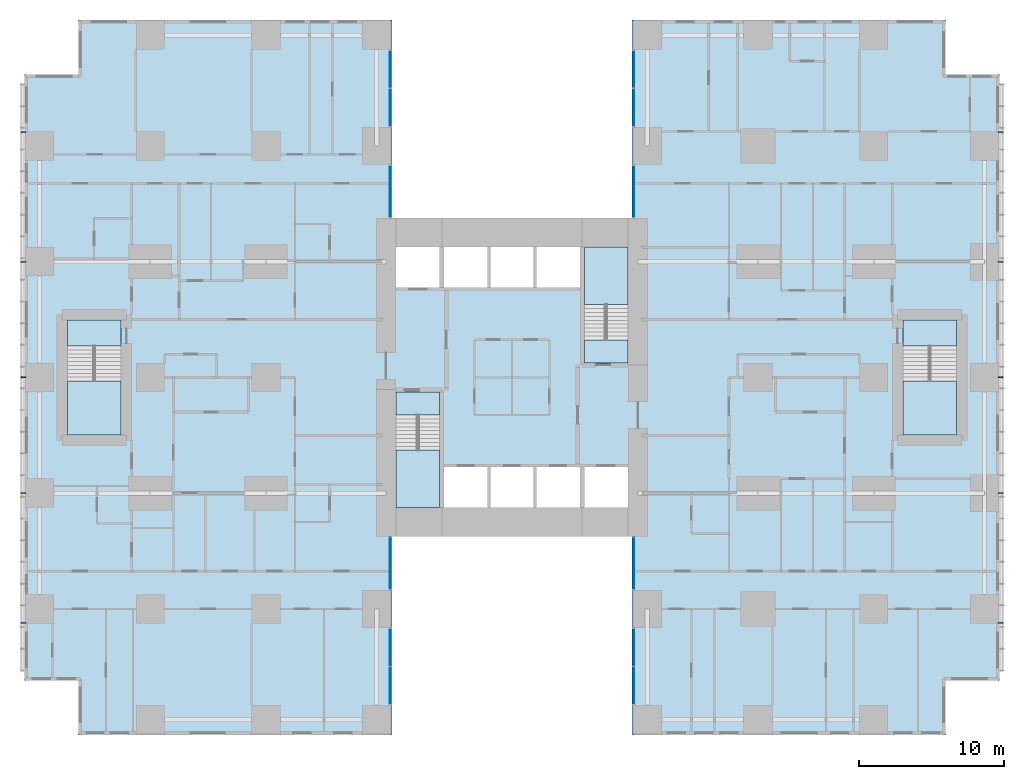
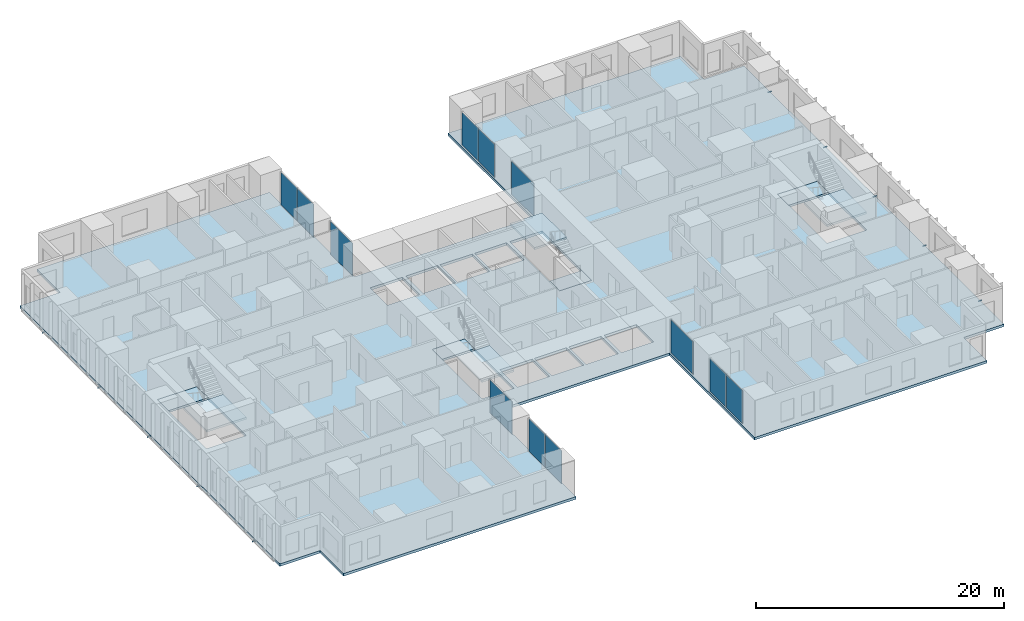
# One storey, part 7 of 20: 12 plates, 10 members, 9 slabs, 12 elements without a shape of their own.
"""IFC4 building model written with IfcOpenShell, lengths in metres."""

from ifc_helpers import new_model, si_unit, direction, frame, origin, origin_2d, place, context, subcontext, project, spatial, polyline, rectangle, hollow_rectangle, outline, extrude, material, layer, layer_set, material_profile, profile_set, type_object, element, aggregate, save


model = new_model("IFC4")

# Units and contexts
model_context = context("Model", 3, precision=1e-05, world=origin(), true_north=direction((0.0, 1.0)))
body_context = subcontext(model_context, "Body", "Model", "MODEL_VIEW")
ifc_project = project(units=[si_unit("LENGTHUNIT", "METRE"), si_unit("AREAUNIT", "SQUARE_METRE"), si_unit("VOLUMEUNIT", "CUBIC_METRE"), si_unit("PLANEANGLEUNIT", "RADIAN"), si_unit("MASSUNIT", "GRAM", prefix="KILO")], contexts=[model_context])

# Site, building, storey
site_placement = place(None, origin())
site = spatial("IfcSite", under=ifc_project, at=site_placement, CompositionType="ELEMENT")
building_placement = place(site_placement, origin())
building = spatial("IfcBuilding", under=site, at=building_placement, Name="Cleftline Residences", CompositionType="ELEMENT")
storey_placement = place(building_placement, frame((0.0, 0.0, 80.0)))
storey = spatial("IfcBuildingStorey", under=building, at=storey_placement, Name="L20", CompositionType="ELEMENT", Elevation=80.0)

# Members
ifc_material_1 = material(Name="Steel S355, hot-dip galvanised", Category="steel")
ifc_material_profile = material_profile(ifc_material_1, hollow_rectangle(XDim=0.10009765625, YDim=0.10009765625, WallThickness=0.008056640625, InnerFilletRadius=0.008056640625, OuterFilletRadius=0.011962890625, at=origin_2d()))
ifc_profile_set = profile_set([ifc_material_profile], Name="Steel S355, hot-dip galvanised")
member_type = type_object("IfcMemberType", Name="BAGUETTE BRACKET SHS 100X100X8", PredefinedType="USERDEFINED", material=ifc_profile_set)
for number, where, z_axis, x_axis, name in (
    (1, (66.60009765625, 7.050048828125, -0.14990234375), (1.0, 0.0, 0.0), (0.0, 1.0, 0.0), "Baguette bracket"),
    (2, (66.60009765625, 16.0, -0.14990234375), (1.0, 0.0, 0.0), (0.0, 1.0, 0.0), "Baguette bracket"),
    (3, (66.60009765625, 24.0, -0.14990234375), (1.0, 0.0, 0.0), (0.0, 1.0, 0.0), "Baguette bracket"),
    (4, (66.60009765625, 32.0, -0.14990234375), (1.0, 0.0, 0.0), (0.0, 1.0, 0.0), "Baguette bracket"),
    (5, (66.60009765625, 40.949951171875, -0.14990234375), (1.0, 0.0, 0.0), (0.0, 1.0, 0.0), "Baguette bracket"),
    (6, (-0.60009765625, 40.949951171875, -0.14990234375), (-1.0, 0.0, 0.0), (0.0, -1.0, 0.0), "Baguette bracket"),
    (7, (-0.60009765625, 32.0, -0.14990234375), (-1.0, 0.0, 0.0), (0.0, -1.0, 0.0), "Baguette bracket"),
    (8, (-0.60009765625, 24.0, -0.14990234375), (-1.0, 0.0, 0.0), (0.0, -1.0, 0.0), "Baguette bracket"),
    (9, (-0.60009765625, 16.0, -0.14990234375), (-1.0, 0.0, 0.0), (0.0, -1.0, 0.0), "Baguette bracket"),
    (10, (-0.60009765625, 7.050048828125, -0.14990234375), (-1.0, 0.0, 0.0), (0.0, -1.0, 0.0), "Baguette bracket"),
):
    element("IfcMember", number, at=place(storey_placement, frame(where, z_axis=z_axis, x_axis=x_axis)), inside=storey, type_object=member_type, Name=name, ObjectType="BAGUETTE BRACKET", PredefinedType="USERDEFINED", context=body_context, shape_type="SweptSolid", body=[
        extrude(hollow_rectangle(XDim=0.10009765625, YDim=0.10009765625, WallThickness=0.008056640625, InnerFilletRadius=0.008056640625, OuterFilletRadius=0.011962890625, at=origin_2d()), origin(), (0.0, 0.0, 1.0), 0.349853515625),
    ])

# Curtain wall, plates
ifc_material_2 = material(Name="Aluminium framed curtain wall", Category="aluminium")
ifc_layer_1 = layer(ifc_material_2, 0.199951171875)
ifc_layer_set_1 = layer_set([ifc_layer_1], Name="CW1 CLEFT GLAZING")
curtain_wall_type = type_object("IfcCurtainWallType", Name="CW1 CLEFT GLAZING", PredefinedType="NOTDEFINED", material=ifc_layer_set_1)
curtain_wall_1_placement = place(storey_placement, origin())
curtain_wall_1 = element("IfcCurtainWall", 11, at=curtain_wall_1_placement, inside=storey, type_object=curtain_wall_type, Name="Curtain wall CW1", PredefinedType="NOTDEFINED")
ifc_material_3 = material(Name="Laminated clear glass", Category="glass")
ifc_layer_2 = layer(ifc_material_3, 0.028076171875)
ifc_layer_set_2 = layer_set([ifc_layer_2], Name="CW1 GLASS PANEL")
plate_type = type_object("IfcPlateType", Name="CW1 GLASS PANEL", PredefinedType="CURTAIN_PANEL", material=ifc_layer_set_2)
plate_1_placement = place(storey_placement, frame((24.574951171875, 2.702392578125, 0.06005859375), z_axis=(0.0, 0.0, 1.0), x_axis=(0.0, 1.0, 0.0)))
plate_1 = element("IfcPlate", 12, at=plate_1_placement, type_object=plate_type, Name="CW1 panel 1.1", PredefinedType="CURTAIN_PANEL", context=body_context, shape_type="SweptSolid", body=[
    extrude(rectangle(XDim=2.5849609375, YDim=0.028076171875, at=origin_2d()), origin(), (0.0, 0.0, 1.0), 3.22998046875),
])
plate_2_placement = place(storey_placement, frame((24.574951171875, 5.347412109375, 0.06005859375), z_axis=(0.0, 0.0, 1.0), x_axis=(0.0, 1.0, 0.0)))
plate_2 = element("IfcPlate", 13, at=plate_2_placement, type_object=plate_type, Name="CW1 panel 2.1", PredefinedType="CURTAIN_PANEL", context=body_context, shape_type="SweptSolid", body=[
    extrude(rectangle(XDim=2.5849609375, YDim=0.028076171875, at=origin_2d()), origin(), (0.0, 0.0, 1.0), 3.22998046875),
])
aggregate(curtain_wall_1, [plate_1, plate_2])

# Curtain wall, plate
curtain_wall_2_placement = place(storey_placement, origin())
curtain_wall_2 = element("IfcCurtainWall", 14, at=curtain_wall_2_placement, inside=storey, type_object=curtain_wall_type, Name="Curtain wall CW1", PredefinedType="NOTDEFINED")
plate_3_placement = place(storey_placement, frame((24.574951171875, 11.14990234375, 0.06005859375), z_axis=(0.0, 0.0, 1.0), x_axis=(0.0, 1.0, 0.0)))
plate_3 = element("IfcPlate", 15, at=plate_3_placement, type_object=plate_type, Name="CW1 panel 1.1", PredefinedType="CURTAIN_PANEL", context=body_context, shape_type="SweptSolid", body=[
    extrude(rectangle(XDim=3.580078125, YDim=0.028076171875, at=origin_2d()), origin(), (0.0, 0.0, 1.0), 3.22998046875),
])
aggregate(curtain_wall_2, [plate_3])

curtain_wall_3_placement = place(storey_placement, origin())
curtain_wall_3 = element("IfcCurtainWall", 16, at=curtain_wall_3_placement, inside=storey, type_object=curtain_wall_type, Name="Curtain wall CW1", PredefinedType="NOTDEFINED")
plate_4_placement = place(storey_placement, frame((41.425048828125, 11.14990234375, 0.06005859375), z_axis=(0.0, 0.0, 1.0), x_axis=(0.0, -1.0, 0.0)))
plate_4 = element("IfcPlate", 17, at=plate_4_placement, type_object=plate_type, Name="CW1 panel 1.1", PredefinedType="CURTAIN_PANEL", context=body_context, shape_type="SweptSolid", body=[
    extrude(rectangle(XDim=3.580078125, YDim=0.028076171875, at=origin_2d()), origin(), (0.0, 0.0, 1.0), 3.22998046875),
])
aggregate(curtain_wall_3, [plate_4])

# Curtain wall, plates
curtain_wall_4_placement = place(storey_placement, origin())
curtain_wall_4 = element("IfcCurtainWall", 18, at=curtain_wall_4_placement, inside=storey, type_object=curtain_wall_type, Name="Curtain wall CW1", PredefinedType="NOTDEFINED")
plate_5_placement = place(storey_placement, frame((41.425048828125, 5.347412109375, 0.06005859375), z_axis=(0.0, 0.0, 1.0), x_axis=(0.0, -1.0, 0.0)))
plate_5 = element("IfcPlate", 19, at=plate_5_placement, type_object=plate_type, Name="CW1 panel 1.1", PredefinedType="CURTAIN_PANEL", context=body_context, shape_type="SweptSolid", body=[
    extrude(rectangle(XDim=2.5849609375, YDim=0.028076171875, at=origin_2d()), origin(), (0.0, 0.0, 1.0), 3.22998046875),
])
plate_6_placement = place(storey_placement, frame((41.425048828125, 2.702392578125, 0.06005859375), z_axis=(0.0, 0.0, 1.0), x_axis=(0.0, -1.0, 0.0)))
plate_6 = element("IfcPlate", 20, at=plate_6_placement, type_object=plate_type, Name="CW1 panel 2.1", PredefinedType="CURTAIN_PANEL", context=body_context, shape_type="SweptSolid", body=[
    extrude(rectangle(XDim=2.5849609375, YDim=0.028076171875, at=origin_2d()), origin(), (0.0, 0.0, 1.0), 3.22998046875),
])
aggregate(curtain_wall_4, [plate_5, plate_6])

curtain_wall_5_placement = place(storey_placement, origin())
curtain_wall_5 = element("IfcCurtainWall", 21, at=curtain_wall_5_placement, inside=storey, type_object=curtain_wall_type, Name="Curtain wall CW1", PredefinedType="NOTDEFINED")
plate_7_placement = place(storey_placement, frame((41.425048828125, 45.297607421875, 0.06005859375), z_axis=(0.0, 0.0, 1.0), x_axis=(0.0, -1.0, 0.0)))
plate_7 = element("IfcPlate", 22, at=plate_7_placement, type_object=plate_type, Name="CW1 panel 1.1", PredefinedType="CURTAIN_PANEL", context=body_context, shape_type="SweptSolid", body=[
    extrude(rectangle(XDim=2.5849609375, YDim=0.028076171875, at=origin_2d()), origin(), (0.0, 0.0, 1.0), 3.22998046875),
])
plate_8_placement = place(storey_placement, frame((41.425048828125, 42.652587890625, 0.06005859375), z_axis=(0.0, 0.0, 1.0), x_axis=(0.0, -1.0, 0.0)))
plate_8 = element("IfcPlate", 23, at=plate_8_placement, type_object=plate_type, Name="CW1 panel 2.1", PredefinedType="CURTAIN_PANEL", context=body_context, shape_type="SweptSolid", body=[
    extrude(rectangle(XDim=2.5849609375, YDim=0.028076171875, at=origin_2d()), origin(), (0.0, 0.0, 1.0), 3.22998046875),
])
aggregate(curtain_wall_5, [plate_7, plate_8])

# Curtain wall, plate
curtain_wall_6_placement = place(storey_placement, origin())
curtain_wall_6 = element("IfcCurtainWall", 24, at=curtain_wall_6_placement, inside=storey, type_object=curtain_wall_type, Name="Curtain wall CW1", PredefinedType="NOTDEFINED")
plate_9_placement = place(storey_placement, frame((41.425048828125, 36.85009765625, 0.06005859375), z_axis=(0.0, 0.0, 1.0), x_axis=(0.0, -1.0, 0.0)))
plate_9 = element("IfcPlate", 25, at=plate_9_placement, type_object=plate_type, Name="CW1 panel 1.1", PredefinedType="CURTAIN_PANEL", context=body_context, shape_type="SweptSolid", body=[
    extrude(rectangle(XDim=3.580078125, YDim=0.028076171875, at=origin_2d()), origin(), (0.0, 0.0, 1.0), 3.22998046875),
])
aggregate(curtain_wall_6, [plate_9])

curtain_wall_7_placement = place(storey_placement, origin())
curtain_wall_7 = element("IfcCurtainWall", 26, at=curtain_wall_7_placement, inside=storey, type_object=curtain_wall_type, Name="Curtain wall CW1", PredefinedType="NOTDEFINED")
plate_10_placement = place(storey_placement, frame((24.574951171875, 36.85009765625, 0.06005859375), z_axis=(0.0, 0.0, 1.0), x_axis=(0.0, 1.0, 0.0)))
plate_10 = element("IfcPlate", 27, at=plate_10_placement, type_object=plate_type, Name="CW1 panel 1.1", PredefinedType="CURTAIN_PANEL", context=body_context, shape_type="SweptSolid", body=[
    extrude(rectangle(XDim=3.580078125, YDim=0.028076171875, at=origin_2d()), origin(), (0.0, 0.0, 1.0), 3.22998046875),
])
aggregate(curtain_wall_7, [plate_10])

# Curtain wall, plates
curtain_wall_8_placement = place(storey_placement, origin())
curtain_wall_8 = element("IfcCurtainWall", 28, at=curtain_wall_8_placement, inside=storey, type_object=curtain_wall_type, Name="Curtain wall CW1", PredefinedType="NOTDEFINED")
plate_11_placement = place(storey_placement, frame((24.574951171875, 42.652587890625, 0.06005859375), z_axis=(0.0, 0.0, 1.0), x_axis=(0.0, 1.0, 0.0)))
plate_11 = element("IfcPlate", 29, at=plate_11_placement, type_object=plate_type, Name="CW1 panel 1.1", PredefinedType="CURTAIN_PANEL", context=body_context, shape_type="SweptSolid", body=[
    extrude(rectangle(XDim=2.5849609375, YDim=0.028076171875, at=origin_2d()), origin(), (0.0, 0.0, 1.0), 3.22998046875),
])
plate_12_placement = place(storey_placement, frame((24.574951171875, 45.297607421875, 0.06005859375), z_axis=(0.0, 0.0, 1.0), x_axis=(0.0, 1.0, 0.0)))
plate_12 = element("IfcPlate", 30, at=plate_12_placement, type_object=plate_type, Name="CW1 panel 2.1", PredefinedType="CURTAIN_PANEL", context=body_context, shape_type="SweptSolid", body=[
    extrude(rectangle(XDim=2.5849609375, YDim=0.028076171875, at=origin_2d()), origin(), (0.0, 0.0, 1.0), 3.22998046875),
])
aggregate(curtain_wall_8, [plate_11, plate_12])

# Slab
ifc_material_4 = material(Name="Concrete B45", Category="concrete")
ifc_layer_3 = layer(ifc_material_4, 0.25)
ifc_layer_set_3 = layer_set([ifc_layer_3], Name="FLOOR SLAB 250")
slab_type_1 = type_object("IfcSlabType", Name="FLOOR SLAB 250", PredefinedType="FLOOR", material=ifc_layer_set_3)
slab_1_placement = place(storey_placement, frame((0.0, 0.0, -0.25)))
element("IfcSlab", 31, at=slab_1_placement, inside=storey, type_object=slab_type_1, Name="Floor slab L20", PredefinedType="FLOOR", context=body_context, shape_type="SweptSolid", body=[
    extrude(outline(polyline([(24.699951171875, 13.0), (41.300048828125, 13.0), (41.300048828125, -0.699951171875), (62.949951171875, -0.699951171875), (62.949951171875, 3.050048828125), (66.699951171875, 3.050048828125), (66.699951171875, 44.949951171875), (62.949951171875, 44.949951171875), (62.949951171875, 48.699951171875), (41.300048828125, 48.699951171875), (41.300048828125, 35.0), (24.699951171875, 35.0), (24.699951171875, 48.699951171875), (3.050048828125, 48.699951171875), (3.050048828125, 44.949951171875), (-0.699951171875, 44.949951171875), (-0.699951171875, 3.050048828125), (3.050048828125, 3.050048828125), (3.050048828125, -0.699951171875), (24.699951171875, -0.699951171875), (24.699951171875, 13.0)]), holes=[polyline([(28.0, 15.0), (28.0, 23.0), (25.0, 23.0), (25.0, 15.0), (28.0, 15.0)]), polyline([(41.0, 25.0), (41.0, 33.0), (38.0, 33.0), (38.0, 25.0), (41.0, 25.0)]), polyline([(28.0, 30.199951171875), (28.0, 33.0), (25.0, 33.0), (25.0, 30.199951171875), (28.0, 30.199951171875)]), polyline([(41.0, 15.0), (41.0, 17.800048828125), (38.0, 17.800048828125), (38.0, 15.0), (41.0, 15.0)]), polyline([(31.300048828125, 15.0), (31.300048828125, 17.800048828125), (28.300048828125, 17.800048828125), (28.300048828125, 15.0), (31.300048828125, 15.0)]), polyline([(34.5, 15.0), (34.5, 17.800048828125), (31.5, 17.800048828125), (31.5, 15.0), (34.5, 15.0)]), polyline([(37.699951171875, 15.0), (37.699951171875, 17.800048828125), (34.699951171875, 17.800048828125), (34.699951171875, 15.0), (37.699951171875, 15.0)]), polyline([(31.300048828125, 30.199951171875), (31.300048828125, 33.0), (28.300048828125, 33.0), (28.300048828125, 30.199951171875), (31.300048828125, 30.199951171875)]), polyline([(34.5, 30.199951171875), (34.5, 33.0), (31.5, 33.0), (31.5, 30.199951171875), (34.5, 30.199951171875)]), polyline([(37.699951171875, 30.199951171875), (37.699951171875, 33.0), (34.699951171875, 33.0), (34.699951171875, 30.199951171875), (37.699951171875, 30.199951171875)]), polyline([(63.72509765625, 20.02490234375), (63.72509765625, 27.97509765625), (60.02490234375, 27.97509765625), (60.02490234375, 20.02490234375), (63.72509765625, 20.02490234375)]), polyline([(5.97509765625, 20.02490234375), (5.97509765625, 27.97509765625), (2.27490234375, 27.97509765625), (2.27490234375, 20.02490234375), (5.97509765625, 20.02490234375)])]), origin(), (0.0, 0.0, 1.0), 0.25),
])

# Stair, slabs
ifc_material_5 = material(Name="Concrete B45, stone treads", Category="masonry")
stair_type_1 = type_object("IfcStairType", Name="STAIR A 1450 WIDE 180 RISER", PredefinedType="HALF_TURN_STAIR", material=ifc_material_5)
stair_1_placement = place(storey_placement, origin())
stair_1 = element("IfcStair", 32, at=stair_1_placement, inside=storey, type_object=stair_type_1, Name="Stair A L20", PredefinedType="HALF_TURN_STAIR")
ifc_material_6 = material(Name="Concrete B45", Category="concrete")
ifc_layer_4 = layer(ifc_material_6, 0.199951171875)
ifc_layer_set_4 = layer_set([ifc_layer_4], Name="STAIR LANDING 200")
slab_type_2 = type_object("IfcSlabType", Name="STAIR LANDING 200", PredefinedType="LANDING", material=ifc_layer_set_4)
slab_2_placement = place(storey_placement, frame((0.0, 0.0, -0.199951171875)))
slab_2 = element("IfcSlab", 33, at=slab_2_placement, type_object=slab_type_2, Name="ST-A landing 1", PredefinedType="LANDING", context=body_context, shape_type="SweptSolid", body=[
    extrude(outline(polyline([(25.0, 21.39990234375), (28.0, 21.39990234375), (28.0, 23.0), (25.0, 23.0), (25.0, 21.39990234375)])), origin(), (0.0, 0.0, 1.0), 0.199951171875),
])
slab_3_placement = place(storey_placement, frame((0.0, 0.0, 1.60009765625)))
slab_3 = element("IfcSlab", 34, at=slab_3_placement, type_object=slab_type_2, Name="ST-A landing 2", PredefinedType="LANDING", context=body_context, shape_type="SweptSolid", body=[
    extrude(outline(polyline([(25.0, 15.0), (28.0, 15.0), (28.0, 18.969970703125), (25.0, 18.969970703125), (25.0, 15.0)])), origin(), (0.0, 0.0, 1.0), 0.199951171875),
])
aggregate(stair_1, [slab_2, slab_3])

ifc_material_7 = material(Name="Concrete B45, stone treads", Category="masonry")
stair_type_2 = type_object("IfcStairType", Name="STAIR B 1450 WIDE 180 RISER", PredefinedType="HALF_TURN_STAIR", material=ifc_material_7)
stair_2_placement = place(storey_placement, origin())
stair_2 = element("IfcStair", 35, at=stair_2_placement, inside=storey, type_object=stair_type_2, Name="Stair B L20", PredefinedType="HALF_TURN_STAIR")
slab_4_placement = place(storey_placement, frame((0.0, 0.0, -0.199951171875)))
slab_4 = element("IfcSlab", 36, at=slab_4_placement, type_object=slab_type_2, Name="ST-B landing 1", PredefinedType="LANDING", context=body_context, shape_type="SweptSolid", body=[
    extrude(outline(polyline([(38.0, 25.0), (41.0, 25.0), (41.0, 26.60009765625), (38.0, 26.60009765625), (38.0, 25.0)])), origin(), (0.0, 0.0, 1.0), 0.199951171875),
])
slab_5_placement = place(storey_placement, frame((0.0, 0.0, 1.60009765625)))
slab_5 = element("IfcSlab", 37, at=slab_5_placement, type_object=slab_type_2, Name="ST-B landing 2", PredefinedType="LANDING", context=body_context, shape_type="SweptSolid", body=[
    extrude(outline(polyline([(38.0, 29.030029296875), (41.0, 29.030029296875), (41.0, 33.0), (38.0, 33.0), (38.0, 29.030029296875)])), origin(), (0.0, 0.0, 1.0), 0.199951171875),
])
aggregate(stair_2, [slab_4, slab_5])

ifc_material_8 = material(Name="Concrete B45, stone treads", Category="masonry")
stair_type_3 = type_object("IfcStairType", Name="STAIR E 1800 WIDE 180 RISER", PredefinedType="HALF_TURN_STAIR", material=ifc_material_8)
stair_3_placement = place(storey_placement, origin())
stair_3 = element("IfcStair", 38, at=stair_3_placement, inside=storey, type_object=stair_type_3, Name="Stair E L20", PredefinedType="HALF_TURN_STAIR")
slab_6_placement = place(storey_placement, frame((0.0, 0.0, -0.199951171875)))
slab_6 = element("IfcSlab", 39, at=slab_6_placement, type_object=slab_type_2, Name="ST-E landing 1", PredefinedType="LANDING", context=body_context, shape_type="SweptSolid", body=[
    extrude(outline(polyline([(60.02490234375, 26.175048828125), (63.72509765625, 26.175048828125), (63.72509765625, 27.97509765625), (60.02490234375, 27.97509765625), (60.02490234375, 26.175048828125)])), origin(), (0.0, 0.0, 1.0), 0.199951171875),
])
slab_7_placement = place(storey_placement, frame((0.0, 0.0, 1.60009765625)))
slab_7 = element("IfcSlab", 40, at=slab_7_placement, type_object=slab_type_2, Name="ST-E landing 2", PredefinedType="LANDING", context=body_context, shape_type="SweptSolid", body=[
    extrude(outline(polyline([(60.02490234375, 20.02490234375), (63.72509765625, 20.02490234375), (63.72509765625, 23.7451171875), (60.02490234375, 23.7451171875), (60.02490234375, 20.02490234375)])), origin(), (0.0, 0.0, 1.0), 0.199951171875),
])
aggregate(stair_3, [slab_6, slab_7])

ifc_material_9 = material(Name="Concrete B45, stone treads", Category="masonry")
stair_type_4 = type_object("IfcStairType", Name="STAIR W 1800 WIDE 180 RISER", PredefinedType="HALF_TURN_STAIR", material=ifc_material_9)
stair_4_placement = place(storey_placement, origin())
stair_4 = element("IfcStair", 41, at=stair_4_placement, inside=storey, type_object=stair_type_4, Name="Stair W L20", PredefinedType="HALF_TURN_STAIR")
slab_8_placement = place(storey_placement, frame((0.0, 0.0, -0.199951171875)))
slab_8 = element("IfcSlab", 42, at=slab_8_placement, type_object=slab_type_2, Name="ST-W landing 1", PredefinedType="LANDING", context=body_context, shape_type="SweptSolid", body=[
    extrude(outline(polyline([(2.27490234375, 26.175048828125), (5.97509765625, 26.175048828125), (5.97509765625, 27.97509765625), (2.27490234375, 27.97509765625), (2.27490234375, 26.175048828125)])), origin(), (0.0, 0.0, 1.0), 0.199951171875),
])
slab_9_placement = place(storey_placement, frame((0.0, 0.0, 1.60009765625)))
slab_9 = element("IfcSlab", 43, at=slab_9_placement, type_object=slab_type_2, Name="ST-W landing 2", PredefinedType="LANDING", context=body_context, shape_type="SweptSolid", body=[
    extrude(outline(polyline([(2.27490234375, 20.02490234375), (5.97509765625, 20.02490234375), (5.97509765625, 23.7451171875), (2.27490234375, 23.7451171875), (2.27490234375, 20.02490234375)])), origin(), (0.0, 0.0, 1.0), 0.199951171875),
])
aggregate(stair_4, [slab_8, slab_9])

save(model, "model.ifc")
